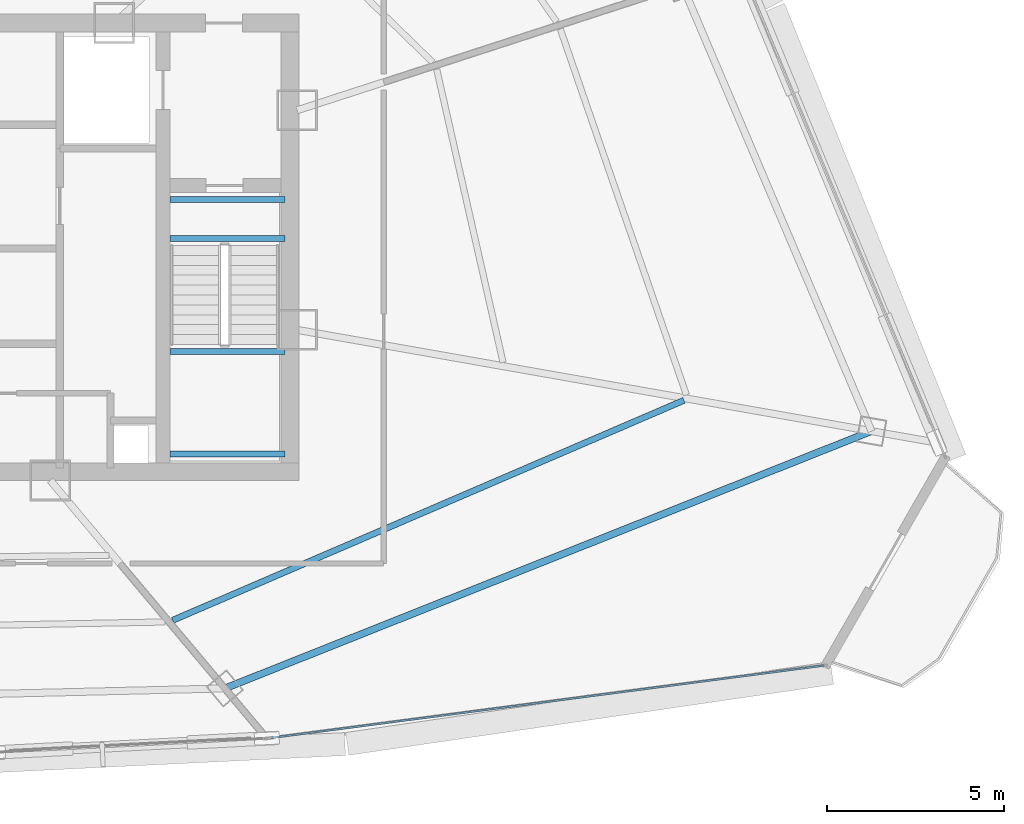
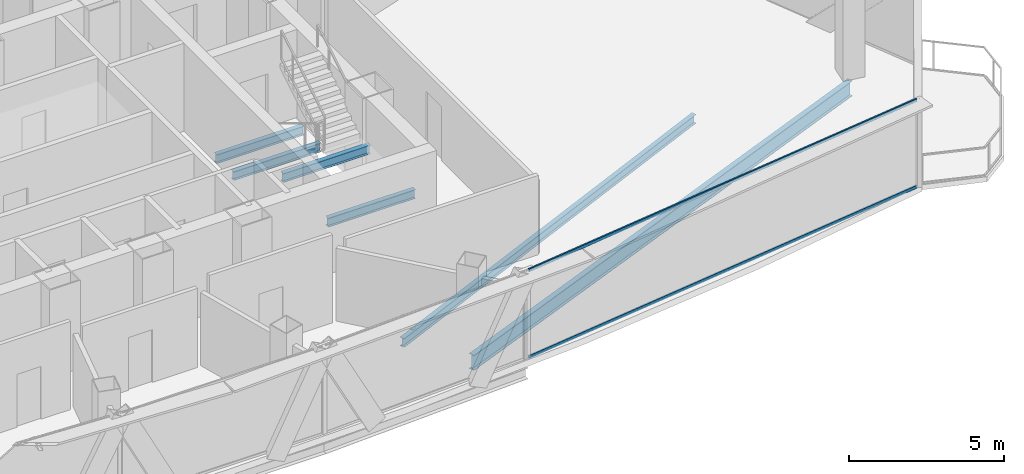
# One storey, part 12 of 35: 6 beams, 2 members, 1 element without a shape of its own.
"""IFC4 building model written with IfcOpenShell, lengths in metres."""

from ifc_helpers import new_model, si_unit, direction, frame, origin, origin_2d, place, context, subcontext, project, spatial, hollow_rectangle, i_section, extrude, source, transform, mapped, material, layer, layer_set, material_profile, profile_set, type_object, element, aggregate, save


model = new_model("IFC4")

# Units and contexts
model_context = context("Model", 3, precision=1e-05, world=origin(), true_north=direction((0.0, 1.0)))
body_context = subcontext(model_context, "Body", "Model", "MODEL_VIEW")
ifc_project = project(units=[si_unit("LENGTHUNIT", "METRE"), si_unit("AREAUNIT", "SQUARE_METRE"), si_unit("VOLUMEUNIT", "CUBIC_METRE"), si_unit("PLANEANGLEUNIT", "RADIAN"), si_unit("MASSUNIT", "GRAM", prefix="KILO"), si_unit("THERMODYNAMICTEMPERATUREUNIT", "KELVIN"), si_unit("POWERUNIT", "WATT")], contexts=[model_context])

# Site, building, storey
site_placement = place(None, origin())
site = spatial("IfcSite", under=ifc_project, at=site_placement, CompositionType="ELEMENT")
building_placement = place(site_placement, origin())
building = spatial("IfcBuilding", under=site, at=building_placement, Name="Yunzhuo Pagoda Commons", CompositionType="ELEMENT")
storey_placement = place(building_placement, frame((0.0, 0.0, 299.93994140625)))
storey = spatial("IfcBuildingStorey", under=building, at=storey_placement, Name="L75", CompositionType="ELEMENT", Elevation=299.93994140625)

# Beams
ifc_material_1 = material(Name="Structural steel Q355B", Category="steel")
ifc_material_profile_1 = material_profile(ifc_material_1, i_section(OverallWidth=0.175048828125, OverallDepth=0.35009765625, WebThickness=0.007080078125, FlangeThickness=0.010986328125, at=origin_2d()), Name="Structural steel Q355B")
ifc_profile_set_1 = profile_set([ifc_material_profile_1], Name="Structural steel Q355B")
beam_type_1 = type_object("IfcBeamType", Name="B-JS2 Joist HN 350x175x7x11", PredefinedType="JOIST", material=ifc_profile_set_1)
shared_shape_1 = source(origin(), body_context, "Body", "SweptSolid", [
    extrude(i_section(OverallWidth=0.175048828125, OverallDepth=0.35009765625, WebThickness=0.007080078125, FlangeThickness=0.010986328125, at=origin_2d()), origin(), (0.0, 0.0, 1.0), 3.25),
])
for number, where, z_axis, x_axis, name in (
    (1, (56.800048828125, 28.0, 1.489990234375), (1.0, 0.0, 0.0), (0.0, 1.0, 0.0), "L75 ST2 landing support beam 81A"),
    (2, (56.800048828125, 30.89990234375, 1.489990234375), (1.0, 0.0, 0.0), (0.0, 1.0, 0.0), "L75 ST2 landing support beam 81B"),
    (3, (56.800048828125, 34.10009765625, -0.375), (1.0, 0.0, 0.0), (0.0, 1.0, 0.0), "L75 ST2 landing support beam 179A"),
    (4, (56.800048828125, 35.199951171875, -0.375), (1.0, 0.0, 0.0), (0.0, 1.0, 0.0), "L75 ST2 landing support beam 179B"),
):
    element("IfcBeam", number, at=place(storey_placement, frame(where, z_axis=z_axis, x_axis=x_axis)), inside=storey, type_object=beam_type_1, Name=name, PredefinedType="JOIST", context=body_context, shape_type="MappedRepresentation", body=[
        mapped(shared_shape_1, transform((0.0, 0.0, 0.0), scale=1.0)),
    ])
ifc_material_profile_2 = material_profile(ifc_material_1, i_section(OverallWidth=0.199951171875, OverallDepth=0.60009765625, WebThickness=0.010986328125, FlangeThickness=0.01708984375, at=origin_2d()), Name="Structural steel Q355B")
ifc_profile_set_2 = profile_set([ifc_material_profile_2], Name="Structural steel Q355B")
beam_type_2 = type_object("IfcBeamType", Name="B-RG3 Beam HN 600x200x11x17", PredefinedType="BEAM", material=ifc_profile_set_2)
shared_shape_2 = source(origin(), body_context, "Body", "SweptSolid", [
    extrude(i_section(OverallWidth=0.199951171875, OverallDepth=0.60009765625, WebThickness=0.010986328125, FlangeThickness=0.01708984375, at=origin_2d()), origin(), (0.0, 0.0, 1.0), 19.7041015625),
])
beam_1_placement = place(storey_placement, frame((58.353515625, 21.361572265625, -0.56005859375), z_axis=(0.929150216007, 0.369702415592, 0.0), x_axis=(-0.369702415592, 0.929150216007, 0.0)))
element("IfcBeam", 5, at=beam_1_placement, inside=storey, type_object=beam_type_2, Name="L75 column-ring beam 4", PredefinedType="BEAM", context=body_context, shape_type="MappedRepresentation", body=[
    mapped(shared_shape_2, transform((0.0, 0.0, 0.0), scale=1.0)),
])
shared_shape_3 = source(origin(), body_context, "Body", "SweptSolid", [
    extrude(i_section(OverallWidth=0.175048828125, OverallDepth=0.35009765625, WebThickness=0.007080078125, FlangeThickness=0.010986328125, at=origin_2d()), origin(), (0.0, 0.0, 1.0), 15.757080078125),
])
beam_2_placement = place(storey_placement, frame((56.8779296875, 23.291259765625, -0.43505859375), z_axis=(0.918592756952, 0.395205448945, 0.0), x_axis=(-0.395205448945, 0.918592756952, 0.0)))
element("IfcBeam", 6, at=beam_2_placement, inside=storey, type_object=beam_type_1, Name="L75 composite ring joist 2.4", PredefinedType="JOIST", context=body_context, shape_type="MappedRepresentation", body=[
    mapped(shared_shape_3, transform((0.0, 0.0, 0.0), scale=1.0)),
])

# Curtain wall, members
ifc_material_2 = material(Name="Anodized aluminium 6063-T6", Category="aluminium")
ifc_layer = layer(ifc_material_2, 0.139892578125)
ifc_layer_set = layer_set([ifc_layer], Name="Anodized aluminium 6063-T6")
curtain_wall_type = type_object("IfcCurtainWallType", Name="CW-HI High-Zone Ribbon Curtain Wall", PredefinedType="NOTDEFINED", material=ifc_layer_set)
curtain_wall_placement = place(storey_placement, origin())
curtain_wall = element("IfcCurtainWall", 7, at=curtain_wall_placement, inside=storey, type_object=curtain_wall_type, Name="L75 curtain wall CW-L75-F1B5", PredefinedType="NOTDEFINED")
ifc_material_profile_3 = material_profile(ifc_material_2, hollow_rectangle(XDim=0.054931640625, YDim=0.1201171875, WallThickness=0.00341796875, at=origin_2d()), Name="Anodized aluminium 6063-T6")
ifc_profile_set_3 = profile_set([ifc_material_profile_3], Name="Anodized aluminium 6063-T6")
member_type = type_object("IfcMemberType", Name="CW-HI-T Transom RHS 120x55x3.5", PredefinedType="USERDEFINED", material=ifc_profile_set_3)
shared_shape_4 = source(origin(), body_context, "Body", "SweptSolid", [
    extrude(hollow_rectangle(XDim=0.054931640625, YDim=0.1201171875, WallThickness=0.00341796875, at=origin_2d()), origin(), (0.0, 0.0, 1.0), 15.765625),
])
member_1_placement = place(storey_placement, frame((59.67529296875, 19.962890625, 0.027587890625), z_axis=(0.99153396289, 0.129847604661, 0.0), x_axis=(-0.129847604661, 0.99153396289, 0.0)))
member_1 = element("IfcMember", 8, at=member_1_placement, type_object=member_type, Name="CW transom 1.1", ObjectType="TRANSOM", PredefinedType="USERDEFINED", context=body_context, shape_type="MappedRepresentation", body=[
    mapped(shared_shape_4, transform((0.0, 0.0, 0.0), scale=1.0)),
])
member_2_placement = place(storey_placement, frame((59.67529296875, 19.962890625, 3.442626953125), z_axis=(0.99153396289, 0.129847604661, 0.0), x_axis=(-0.129847604661, 0.99153396289, 0.0)))
member_2 = element("IfcMember", 9, at=member_2_placement, type_object=member_type, Name="CW transom 1.2", ObjectType="TRANSOM", PredefinedType="USERDEFINED", context=body_context, shape_type="MappedRepresentation", body=[
    mapped(shared_shape_4, transform((0.0, 0.0, 0.0), scale=1.0)),
])
aggregate(curtain_wall, [member_1, member_2])

save(model, "model.ifc")
